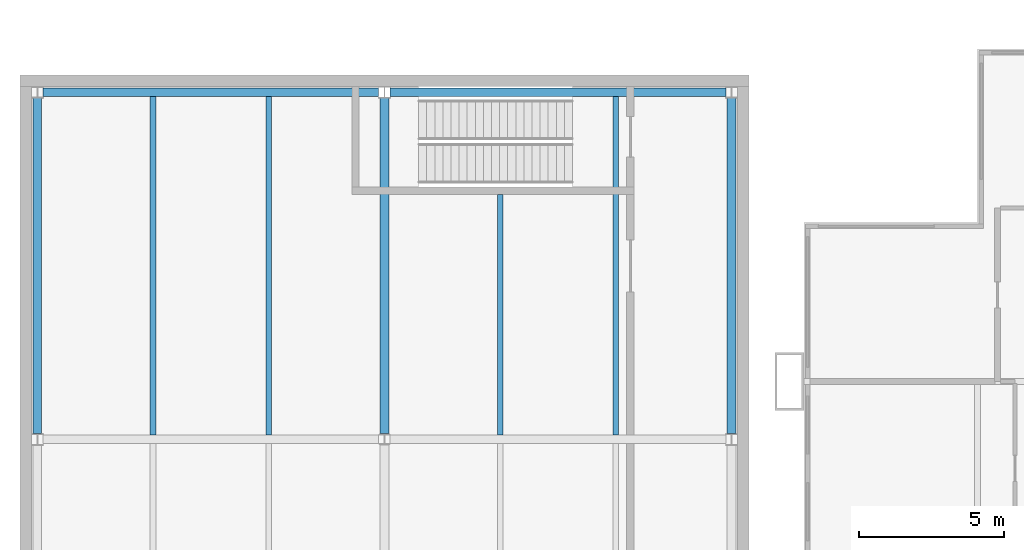
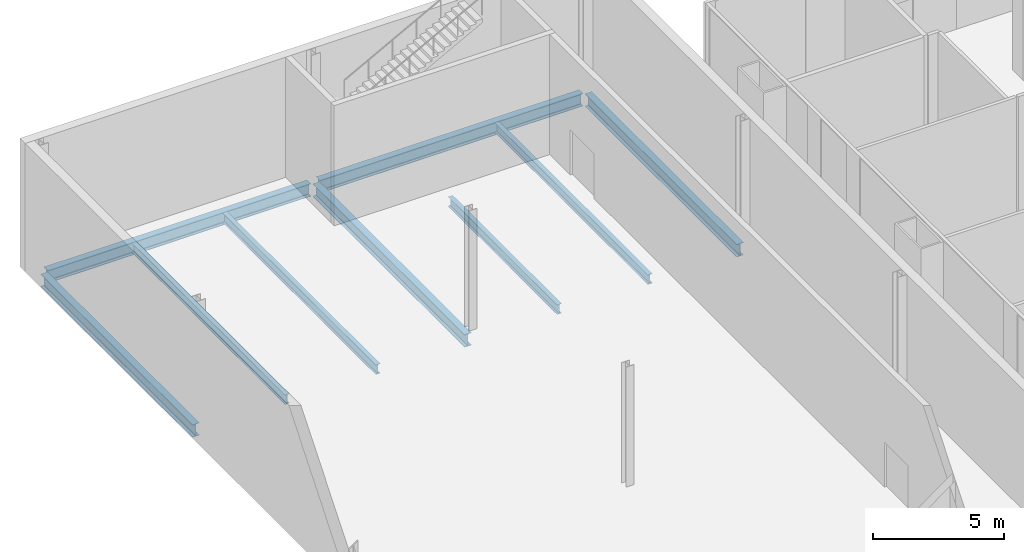
# One storey, part 12 of 25: 9 beams.
"""IFC4 building model written with IfcOpenShell, lengths in metres."""

from ifc_helpers import new_model, si_unit, direction, frame, origin, origin_2d, place, context, subcontext, project, spatial, i_section, extrude, material, material_profile, profile_set, type_object, element, save


model = new_model("IFC4")

# Units and contexts
model_context = context("Model", 3, precision=1e-05, world=origin(), true_north=direction((0.0, 1.0)))
body_context = subcontext(model_context, "Body", "Model", "MODEL_VIEW")
ifc_project = project(units=[si_unit("LENGTHUNIT", "METRE"), si_unit("AREAUNIT", "SQUARE_METRE"), si_unit("VOLUMEUNIT", "CUBIC_METRE"), si_unit("PLANEANGLEUNIT", "RADIAN"), si_unit("MASSUNIT", "GRAM", prefix="KILO")], contexts=[model_context])

# Site, building, storey
site_placement = place(None, origin())
site = spatial("IfcSite", under=ifc_project, at=site_placement, CompositionType="ELEMENT")
building_placement = place(site_placement, origin())
building = spatial("IfcBuilding", under=site, at=building_placement, Name="Kitamizu Gate Tower and Museum", CompositionType="ELEMENT")
storey_placement = place(building_placement, frame((0.0, 0.0, 12.0)))
storey = spatial("IfcBuildingStorey", under=building, at=storey_placement, Name="L02", CompositionType="ELEMENT", Elevation=12.0)

# Beams
ifc_material_1 = material(Name="Steel SS400", Category="steel")
ifc_material_profile_1 = material_profile(ifc_material_1, i_section(OverallWidth=0.300048828125, OverallDepth=0.587890625, WebThickness=0.011962890625, FlangeThickness=0.02001953125, FilletRadius=0.028076171875, at=origin_2d()), Name="H-588x300x12x20")
ifc_profile_set_1 = profile_set([ifc_material_profile_1], Name="Steel SS400")
beam_type_1 = type_object("IfcBeamType", Name="Museum girder H 588x300x12x20", PredefinedType="BEAM", material=ifc_profile_set_1)
for number, where, z_axis, x_axis, name in (
    (1, (-25.800048828125, 46.0, -0.694091796875), (1.0, 0.0, 0.0), (0.0, 1.0, 0.0), "Girder xM1M2MG"),
    (2, (-13.800048828125, 46.0, -0.694091796875), (1.0, 0.0, 0.0), (0.0, 1.0, 0.0), "Girder xM2M3MG"),
    (3, (-26.0, 34.199951171875, -0.694091796875), (0.0, 1.0, 0.0), (-1.0, 0.0, 0.0), "Girder yM1MFMG"),
    (4, (-14.0, 34.199951171875, -0.694091796875), (0.0, 1.0, 0.0), (-1.0, 0.0, 0.0), "Girder yM2MFMG"),
    (5, (-2.0, 34.199951171875, -0.694091796875), (0.0, 1.0, 0.0), (-1.0, 0.0, 0.0), "Girder yM3MFMG"),
):
    element("IfcBeam", number, at=place(storey_placement, frame(where, z_axis=z_axis, x_axis=x_axis)), inside=storey, type_object=beam_type_1, Name=name, PredefinedType="BEAM", context=body_context, shape_type="SweptSolid", body=[
        extrude(i_section(OverallWidth=0.300048828125, OverallDepth=0.587890625, WebThickness=0.011962890625, FlangeThickness=0.02001953125, FilletRadius=0.028076171875, at=origin_2d()), origin(), (0.0, 0.0, 1.0), 11.60009765625),
    ])
ifc_material_2 = material(Name="Steel SS400", Category="steel")
ifc_material_profile_2 = material_profile(ifc_material_2, i_section(OverallWidth=0.199951171875, OverallDepth=0.449951171875, WebThickness=0.009033203125, FlangeThickness=0.013916015625, FilletRadius=0.01806640625, at=origin_2d()), Name="H-450x200x9x14")
ifc_profile_set_2 = profile_set([ifc_material_profile_2], Name="Steel SS400")
beam_type_2 = type_object("IfcBeamType", Name="Museum secondary beam H 450x200x9x14", PredefinedType="JOIST", material=ifc_profile_set_2)
for number, where, z_axis, x_axis, name in (
    (6, (-22.0, 34.14990234375, -0.625), (0.0, 1.0, 0.0), (-1.0, 0.0, 0.0), "Secondary beam M1M2MFMG.1"),
    (7, (-18.0, 34.14990234375, -0.625), (0.0, 1.0, 0.0), (-1.0, 0.0, 0.0), "Secondary beam M1M2MFMG.2"),
):
    element("IfcBeam", number, at=place(storey_placement, frame(where, z_axis=z_axis, x_axis=x_axis)), inside=storey, type_object=beam_type_2, Name=name, PredefinedType="JOIST", context=body_context, shape_type="SweptSolid", body=[
        extrude(i_section(OverallWidth=0.199951171875, OverallDepth=0.449951171875, WebThickness=0.009033203125, FlangeThickness=0.013916015625, FilletRadius=0.01806640625, at=origin_2d()), origin(), (0.0, 0.0, 1.0), 11.7001953125),
    ])
beam_1_placement = place(storey_placement, frame((-10.0, 34.14990234375, -0.625), z_axis=(0.0, 1.0, 0.0), x_axis=(-1.0, 0.0, 0.0)))
element("IfcBeam", 8, at=beam_1_placement, inside=storey, type_object=beam_type_2, Name="Secondary beam M2M3MFMG.1", PredefinedType="JOIST", context=body_context, shape_type="SweptSolid", body=[
    extrude(i_section(OverallWidth=0.199951171875, OverallDepth=0.449951171875, WebThickness=0.009033203125, FlangeThickness=0.013916015625, FilletRadius=0.01806640625, at=origin_2d()), origin(), (0.0, 0.0, 1.0), 8.3251953125),
])
beam_2_placement = place(storey_placement, frame((-6.0, 34.14990234375, -0.625), z_axis=(0.0, 1.0, 0.0), x_axis=(-1.0, 0.0, 0.0)))
element("IfcBeam", 9, at=beam_2_placement, inside=storey, type_object=beam_type_2, Name="Secondary beam M2M3MFMG.2", PredefinedType="JOIST", context=body_context, shape_type="SweptSolid", body=[
    extrude(i_section(OverallWidth=0.199951171875, OverallDepth=0.449951171875, WebThickness=0.009033203125, FlangeThickness=0.013916015625, FilletRadius=0.01806640625, at=origin_2d()), origin(), (0.0, 0.0, 1.0), 11.7001953125),
])

save(model, "model.ifc")
